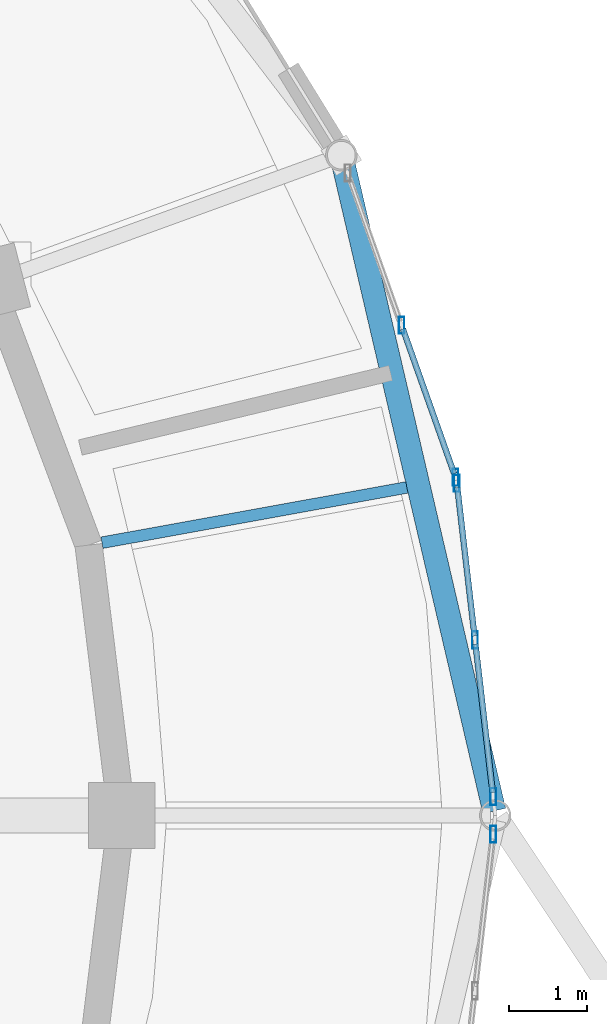
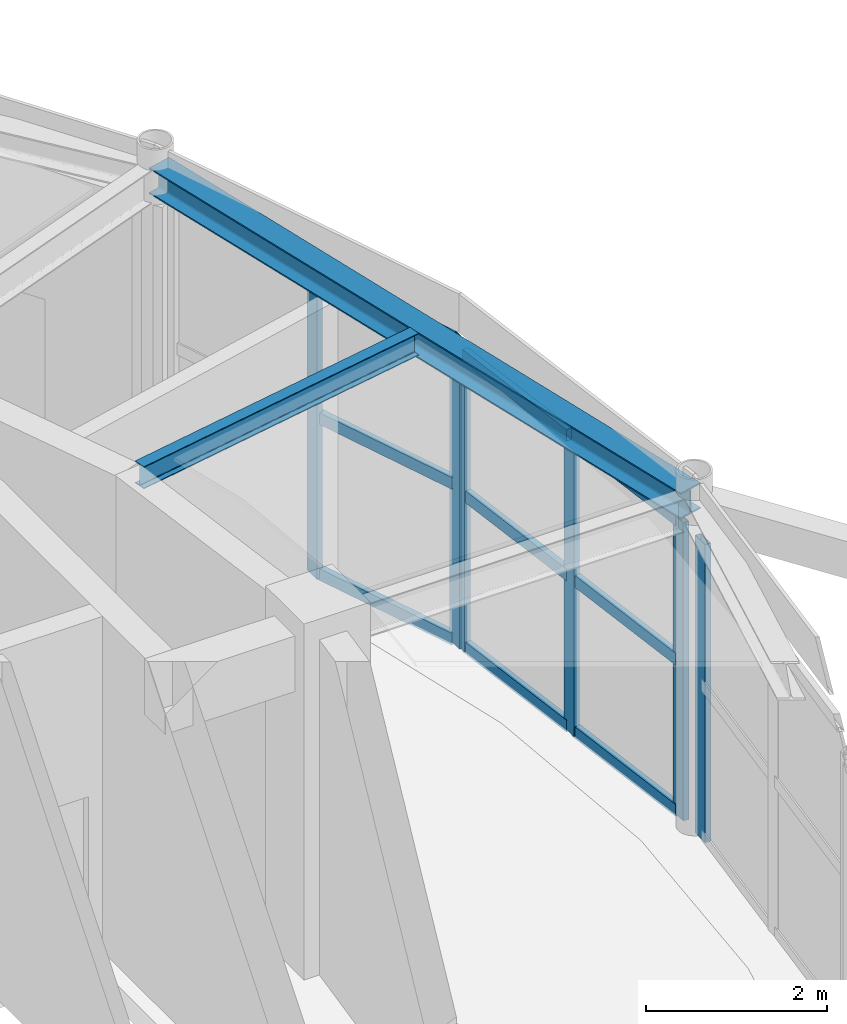
# One storey, part 46 of 108: 15 members, 2 beams, 3 elements without a shape of their own.
"""IFC4 building model written with IfcOpenShell, lengths in metres."""

import ifcopenshell
import ifcopenshell.guid

model = None  # the IFC model being written
_history = None  # IfcOwnerHistory: only IFC2X3 demands one
_inside = {}  # id of a spatial element -> (the spatial element, [elements in it])
_under = {}  # id of a project, library or spatial element -> (it, [spatial elements below it])
_declared = {}  # id of a project -> (the project, [libraries it declares])
_typed = {}  # id of a type object -> (the type object, [elements of that type])
_made_of = {}  # id of a material, layer set ... -> (it, [elements and type objects made of it])


def new_model(schema):
    """Start an empty IFC model of exactly this schema.

    Asked for "IFC4X3", IfcOpenShell would pick the latest addendum, in which some entities
    have other attributes; the version numbers below select the first issue.
    IFC2X3 requires an IfcOwnerHistory on every rooted entity: one is made here for all.
    """
    global model, _history
    if schema == "IFC4X3":
        model = ifcopenshell.file(schema_version=(4, 3, 0, 0))
    else:
        model = ifcopenshell.file(schema=schema)
    _inside.clear()
    _under.clear()
    _declared.clear()
    _typed.clear()
    _made_of.clear()
    _history = None
    if model.schema == "IFC2X3":
        org = make("IfcOrganization", Name="unknown")
        user = make(
            "IfcPersonAndOrganization",
            ThePerson=make("IfcPerson", FamilyName="unknown"),
            TheOrganization=org,
        )
        app = make(
            "IfcApplication",
            ApplicationDeveloper=org,
            Version="unknown",
            ApplicationFullName="unknown",
            ApplicationIdentifier="unknown",
        )
        _history = make(
            "IfcOwnerHistory",
            OwningUser=user,
            OwningApplication=app,
            ChangeAction="ADDED",
            CreationDate=0,
        )
    return model


def make(cls, **values):
    """One entity of the class cls with the attributes given. An attribute that is None is left unset."""
    return model.create_entity(
        cls, **{name: value for name, value in values.items() if value is not None}
    )


def rooted(cls, **values):
    """An entity with a GlobalId (a new one), such as an element, a storey or a relation."""
    return make(cls, GlobalId=ifcopenshell.guid.new(), OwnerHistory=_history, **values)


def si_unit(unit_type, name, prefix=None):
    """IfcSIUnit, for example si_unit("LENGTHUNIT", "METRE", prefix="MILLI")."""
    return make("IfcSIUnit", UnitType=unit_type, Prefix=prefix, Name=name)


def assignment(units):
    """IfcUnitAssignment: the units of a project."""
    return None if units is None else make("IfcUnitAssignment", Units=units)


def point(xyz):
    """IfcCartesianPoint."""
    return None if xyz is None else make("IfcCartesianPoint", Coordinates=xyz)


def direction(xyz):
    """IfcDirection."""
    return None if xyz is None else make("IfcDirection", DirectionRatios=xyz)


def frame(location, z_axis=None, x_axis=None):
    """IfcAxis2Placement3D, a coordinate frame: its origin and axes. An axis left out is left unset."""
    return make(
        "IfcAxis2Placement3D",
        Location=point(location),
        Axis=direction(z_axis),
        RefDirection=direction(x_axis),
    )


def frame_2d(location, x_axis=None):
    """IfcAxis2Placement2D, a coordinate frame in the plane: its origin and x axis."""
    return make(
        "IfcAxis2Placement2D", Location=point(location), RefDirection=direction(x_axis)
    )


def origin():
    """The frame at (0, 0, 0) with its axes left unset."""
    return frame((0.0, 0.0, 0.0))


def origin_2d():
    """The frame at (0, 0) in the plane with its x axis left unset."""
    return frame_2d((0.0, 0.0))


def place(relative_to, where):
    """IfcLocalPlacement: puts the frame where relative to a parent placement (None: the world)."""
    return make(
        "IfcLocalPlacement", PlacementRelTo=relative_to, RelativePlacement=where
    )


def context(
    kind, dimensions, precision=None, world=None, true_north=None, identifier=None
):
    """IfcGeometricRepresentationContext, for example the 3D "Model" context."""
    return make(
        "IfcGeometricRepresentationContext",
        ContextIdentifier=identifier,
        ContextType=kind,
        CoordinateSpaceDimension=dimensions,
        Precision=precision,
        WorldCoordinateSystem=world,
        TrueNorth=true_north,
    )


def subcontext(parent, identifier, kind, view, scale=None):
    """IfcGeometricRepresentationSubContext, for example "Body" below "Model"."""
    return make(
        "IfcGeometricRepresentationSubContext",
        ContextIdentifier=identifier,
        ContextType=kind,
        ParentContext=parent,
        TargetScale=scale,
        TargetView=view,
    )


def project(units=None, contexts=None):
    """IfcProject with its units and contexts."""
    return rooted(
        "IfcProject",
        Name="project",
        RepresentationContexts=contexts,
        UnitsInContext=assignment(units),
    )


def spatial(cls, under=None, at=None, **own):
    """A site, building, storey or space (cls), placed at a placement, below another one or the project."""
    s = rooted(cls, ObjectPlacement=at, **own)
    if under is not None:
        _under.setdefault(under.id(), (under, []))[1].append(s)
    return s


def profile(cls, at=None, kind="AREA", **sizes):
    """A parametric profile (cls). Its sizes go by their IFC names, for example OverallWidth=200.0."""
    return make(cls, ProfileType=kind, Position=at, **sizes)


def hollow_rectangle(**sizes):
    """IfcRectangleHollowProfileDef."""
    return profile("IfcRectangleHollowProfileDef", **sizes)


def i_section(**sizes):
    """IfcIShapeProfileDef."""
    return profile("IfcIShapeProfileDef", **sizes)


def extrude(swept, where, along, depth):
    """IfcExtrudedAreaSolid: the profile swept, set in the frame where, extruded along a direction by depth."""
    return make(
        "IfcExtrudedAreaSolid",
        SweptArea=swept,
        Position=where,
        ExtrudedDirection=direction(along),
        Depth=depth,
    )


def shape(context_of_items, identifier, shape_type, items):
    """IfcShapeRepresentation: the items that make up one representation, for example the "Body"."""
    return make(
        "IfcShapeRepresentation",
        ContextOfItems=context_of_items,
        RepresentationIdentifier=identifier,
        RepresentationType=shape_type,
        Items=items,
    )


def material(Name=None, Category=None):
    """IfcMaterial."""
    return make("IfcMaterial", Name=Name, Category=Category)


def material_profile(
    of_material, cross_section, Name=None, Category=None, Priority=None
):
    """IfcMaterialProfile: a cross section and its material."""
    return make(
        "IfcMaterialProfile",
        Name=Name,
        Material=of_material,
        Profile=cross_section,
        Priority=Priority,
        Category=Category,
    )


def profile_set(profiles, Name=None, composite=None):
    """IfcMaterialProfileSet."""
    return make(
        "IfcMaterialProfileSet",
        Name=Name,
        MaterialProfiles=profiles,
        CompositeProfile=composite,
    )


def made_of(thing, what):
    """Note that an element or type object is made of a material, layer set ...; save() writes the relation."""
    if what is not None:
        _made_of.setdefault(what.id(), (what, []))[1].append(thing)
    return thing


def type_object(cls, material=None, **own):
    """A type object (cls), such as IfcWallType, which elements share."""
    return made_of(rooted(cls, **own), material)


def element(
    cls,
    number,
    at=None,
    inside=None,
    cuts=None,
    type_object=None,
    material=None,
    context=None,
    identifier="Body",
    shape_type=None,
    held_by="IfcProductDefinitionShape",
    body=None,
    shapes=None,
    **own,
):
    """One element of the class cls, such as IfcWall. Its Tag is "e" and its number.

    at: its placement. inside: the storey or other place that contains it. cuts: it is an
    opening in that element (IfcRelVoidsElement). A single representation is given by context,
    identifier, shape_type and body (its items); several are given by shapes. held_by: the class
    of the entity that holds the representations. save() writes the other relations.
    """
    e = rooted(cls, Tag="e%d" % number, ObjectPlacement=at, **own)
    if body is not None:
        shapes = [shape(context, identifier, shape_type, body)]
    if shapes is not None:
        e.Representation = make(held_by, Representations=shapes)
    if inside is not None:
        _inside.setdefault(inside.id(), (inside, []))[1].append(e)
    if cuts is not None:
        rooted(
            "IfcRelVoidsElement", RelatingBuildingElement=cuts, RelatedOpeningElement=e
        )
    if type_object is not None:
        _typed.setdefault(type_object.id(), (type_object, []))[1].append(e)
    return made_of(e, material)


def aggregate(whole, parts):
    """IfcRelAggregates: a whole, such as a stair, and the parts it consists of."""
    return rooted("IfcRelAggregates", RelatingObject=whole, RelatedObjects=parts)


def save(model, path):
    """Write the relations noted so far, then the file.

    IfcRelAggregates (storeys below a building ...), IfcRelContainedInSpatialStructure (elements
    in a storey), IfcRelDefinesByType, IfcRelAssociatesMaterial and IfcRelDeclares: one each for
    every whole, place, type object, material and project.
    """
    for whole, parts in _under.values():
        aggregate(whole, parts)
    for where, things in _inside.values():
        rooted(
            "IfcRelContainedInSpatialStructure",
            RelatedElements=things,
            RelatingStructure=where,
        )
    for kind, things in _typed.values():
        rooted("IfcRelDefinesByType", RelatedObjects=things, RelatingType=kind)
    for what, things in _made_of.values():
        rooted("IfcRelAssociatesMaterial", RelatedObjects=things, RelatingMaterial=what)
    for by, libraries in _declared.values():
        rooted("IfcRelDeclares", RelatingContext=by, RelatedDefinitions=libraries)
    model.write(path)


model = new_model("IFC4")

# Units and contexts
model_context = context("Model", 3, precision=1e-05, world=origin(), true_north=direction((0.0, 1.0)))
body_context = subcontext(model_context, "Body", "Model", "MODEL_VIEW")
ifc_project = project(units=[si_unit("LENGTHUNIT", "METRE"), si_unit("AREAUNIT", "SQUARE_METRE"), si_unit("VOLUMEUNIT", "CUBIC_METRE"), si_unit("PLANEANGLEUNIT", "RADIAN"), si_unit("MASSUNIT", "GRAM", prefix="KILO")], contexts=[model_context])

# Site, building, storey
site_placement = place(None, origin())
site = spatial("IfcSite", under=ifc_project, at=site_placement, CompositionType="ELEMENT")
building_placement = place(site_placement, origin())
building = spatial("IfcBuilding", under=site, at=building_placement, Name="Tarnveldt Headland Concert Hall", CompositionType="ELEMENT")
storey_placement = place(building_placement, origin())
storey = spatial("IfcBuildingStorey", under=building, at=storey_placement, Name="L00", CompositionType="ELEMENT", Elevation=0.0)

# Curtain wall, members
ifc_material_1 = material(Name="Marine-anodised aluminium EN AW-6063-T6", Category="aluminium")
curtain_wall_type = type_object("IfcCurtainWallType", Name="CW-F1", PredefinedType="NOTDEFINED", material=ifc_material_1)
curtain_wall_1_placement = place(storey_placement, origin())
curtain_wall_1 = element("IfcCurtainWall", 1, at=curtain_wall_1_placement, inside=storey, type_object=curtain_wall_type, Name="Curtain wall CW-L00-001", PredefinedType="NOTDEFINED")
ifc_material_profile_1 = material_profile(ifc_material_1, hollow_rectangle(XDim=0.074951171875, YDim=0.219970703125, WallThickness=0.0048828125, at=origin_2d()), Name="ALU MULLION 75x220x5", Category="aluminium")
ifc_profile_set_1 = profile_set([ifc_material_profile_1], Name="Marine-anodised aluminium EN AW-6063-T6")
member_type_1 = type_object("IfcMemberType", Name="ML-200", PredefinedType="MULLION", material=ifc_profile_set_1)
member_1_placement = place(storey_placement, frame((116.27197265625, 54.74169921875, 0.0), z_axis=(0.0, 0.0, 1.0), x_axis=(1.0, 0.0, 0.0)))
member_1 = element("IfcMember", 2, at=member_1_placement, type_object=member_type_1, Name="Mullion CW-L00-001-1", PredefinedType="MULLION", context=body_context, shape_type="SweptSolid", body=[
    extrude(hollow_rectangle(XDim=0.074951171875, YDim=0.219970703125, WallThickness=0.0048828125, at=origin_2d()), origin(), (0.0, 0.0, 1.0), 4.01806640625),
])
member_2_placement = place(storey_placement, frame((116.039306640625, 56.754150390625, 0.0), z_axis=(0.0, 0.0, 1.0), x_axis=(1.0, 0.0, 0.0)))
member_2 = element("IfcMember", 3, at=member_2_placement, type_object=member_type_1, Name="Mullion CW-L00-001-2", PredefinedType="MULLION", context=body_context, shape_type="SweptSolid", body=[
    extrude(hollow_rectangle(XDim=0.074951171875, YDim=0.219970703125, WallThickness=0.0048828125, at=origin_2d()), origin(), (0.0, 0.0, 1.0), 4.01806640625),
])
member_3_placement = place(storey_placement, frame((115.806396484375, 58.766845703125, 0.0), z_axis=(0.0, 0.0, 1.0), x_axis=(1.0, 0.0, 0.0)))
member_3 = element("IfcMember", 4, at=member_3_placement, type_object=member_type_1, Name="Mullion CW-L00-001-3", PredefinedType="MULLION", context=body_context, shape_type="SweptSolid", body=[
    extrude(hollow_rectangle(XDim=0.074951171875, YDim=0.219970703125, WallThickness=0.0048828125, at=origin_2d()), origin(), (0.0, 0.0, 1.0), 4.01806640625),
])

curtain_wall_2_placement = place(storey_placement, origin())
curtain_wall_2 = element("IfcCurtainWall", 5, at=curtain_wall_2_placement, inside=storey, type_object=curtain_wall_type, Name="Curtain wall CW-L00-002", PredefinedType="NOTDEFINED")
member_4_placement = place(storey_placement, frame((115.788330078125, 58.84423828125, 0.0), z_axis=(0.0, 0.0, 1.0), x_axis=(1.0, 0.0, 0.0)))
member_4 = element("IfcMember", 6, at=member_4_placement, type_object=member_type_1, Name="Mullion CW-L00-002-1", PredefinedType="MULLION", context=body_context, shape_type="SweptSolid", body=[
    extrude(hollow_rectangle(XDim=0.074951171875, YDim=0.219970703125, WallThickness=0.0048828125, at=origin_2d()), origin(), (0.0, 0.0, 1.0), 4.139892578125),
])
member_5_placement = place(storey_placement, frame((115.095703125, 60.798583984375, 0.0), z_axis=(0.0, 0.0, 1.0), x_axis=(1.0, 0.0, 0.0)))
member_5 = element("IfcMember", 7, at=member_5_placement, type_object=member_type_1, Name="Mullion CW-L00-002-2", PredefinedType="MULLION", context=body_context, shape_type="SweptSolid", body=[
    extrude(hollow_rectangle(XDim=0.074951171875, YDim=0.219970703125, WallThickness=0.0048828125, at=origin_2d()), origin(), (0.0, 0.0, 1.0), 4.139892578125),
])

# Curtain wall, member
curtain_wall_3_placement = place(storey_placement, origin())
curtain_wall_3 = element("IfcCurtainWall", 8, at=curtain_wall_3_placement, inside=storey, type_object=curtain_wall_type, Name="Curtain wall CW-L00-026", PredefinedType="NOTDEFINED")
member_6_placement = place(storey_placement, frame((116.27197265625, 54.25830078125, 0.0), z_axis=(0.0, 0.0, 1.0), x_axis=(1.0, 0.0, 0.0)))
member_6 = element("IfcMember", 9, at=member_6_placement, type_object=member_type_1, Name="Mullion CW-L00-026-3", PredefinedType="MULLION", context=body_context, shape_type="SweptSolid", body=[
    extrude(hollow_rectangle(XDim=0.074951171875, YDim=0.219970703125, WallThickness=0.0048828125, at=origin_2d()), origin(), (0.0, 0.0, 1.0), 4.01806640625),
])
aggregate(curtain_wall_3, [member_6])

# Beams
ifc_material_2 = material(Name="Steel S355", Category="steel")
ifc_material_profile_2 = material_profile(ifc_material_2, i_section(OverallWidth=0.300048828125, OverallDepth=0.35009765625, WebThickness=0.010009765625, FlangeThickness=0.017578125, FilletRadius=0.027099609375, at=origin_2d()), Name="HEA360", Category="steel")
ifc_profile_set_2 = profile_set([ifc_material_profile_2], Name="Steel S355")
beam_type_1 = type_object("IfcBeamType", Name="SB-HEA360", PredefinedType="SPANDREL", material=ifc_profile_set_2)
beam_1_placement = place(storey_placement, frame((116.286376953125, 54.558349609375, 4.344970703125), z_axis=(-0.227123591729, 0.973865942561, 0.0), x_axis=(-0.973865942561, -0.227123591729, 0.0)))
element("IfcBeam", 10, at=beam_1_placement, inside=storey, type_object=beam_type_1, Name="Framing beam L00-347", PredefinedType="SPANDREL", context=body_context, shape_type="SweptSolid", body=[
    extrude(i_section(OverallWidth=0.300048828125, OverallDepth=0.35009765625, WebThickness=0.010009765625, FlangeThickness=0.017578125, FilletRadius=0.027099609375, at=origin_2d()), origin(), (0.0, 0.0, 1.0), 8.589599609375),
])
ifc_material_profile_3 = material_profile(ifc_material_2, i_section(OverallWidth=0.14990234375, OverallDepth=0.300048828125, WebThickness=0.007080078125, FlangeThickness=0.0107421875, FilletRadius=0.014892578125, at=origin_2d()), Name="IPE300", Category="steel")
ifc_profile_set_3 = profile_set([ifc_material_profile_3], Name="Steel S355")
beam_type_2 = type_object("IfcBeamType", Name="SB-IPE300", PredefinedType="JOIST", material=ifc_profile_set_3)
beam_2_placement = place(storey_placement, frame((111.246826171875, 58.004150390625, 4.3701171875), z_axis=(0.983953220183, 0.178426624954, 0.0), x_axis=(-0.178426624954, 0.983953220183, 0.0)))
element("IfcBeam", 11, at=beam_2_placement, inside=storey, type_object=beam_type_2, Name="Framing beam L00-349", PredefinedType="JOIST", context=body_context, shape_type="SweptSolid", body=[
    extrude(i_section(OverallWidth=0.14990234375, OverallDepth=0.300048828125, WebThickness=0.007080078125, FlangeThickness=0.0107421875, FilletRadius=0.014892578125, at=origin_2d()), origin(), (0.0, 0.0, 1.0), 3.98046875),
])

# Member
ifc_material_profile_4 = material_profile(ifc_material_1, hollow_rectangle(XDim=0.074951171875, YDim=0.159912109375, WallThickness=0.00390625, at=origin_2d()), Name="ALU TRANSOM 75x160x4", Category="aluminium")
ifc_profile_set_4 = profile_set([ifc_material_profile_4], Name="Marine-anodised aluminium EN AW-6063-T6")
member_type_2 = type_object("IfcMemberType", Name="TR-160", PredefinedType="MEMBER", material=ifc_profile_set_4)
member_7_placement = place(storey_placement, frame((116.266357421875, 54.790771484375, 0.050048828125), z_axis=(-0.114907814894, 0.993376159406, 0.0), x_axis=(-0.993376159406, -0.114907814894, 0.0)))
member_7 = element("IfcMember", 12, at=member_7_placement, type_object=member_type_2, Name="Transom CW-L00-001-1-1", PredefinedType="MEMBER", context=body_context, shape_type="SweptSolid", body=[
    extrude(hollow_rectangle(XDim=0.074951171875, YDim=0.159912109375, WallThickness=0.00390625, at=origin_2d()), origin(), (0.0, 0.0, 1.0), 1.927001953125),
])

member_8_placement = place(storey_placement, frame((116.266357421875, 54.790771484375, 2.08935546875), z_axis=(-0.114907814894, 0.993376159406, 0.0), x_axis=(-0.993376159406, -0.114907814894, 0.0)))
member_8 = element("IfcMember", 13, at=member_8_placement, type_object=member_type_2, Name="Transom CW-L00-001-1-2", PredefinedType="MEMBER", context=body_context, shape_type="SweptSolid", body=[
    extrude(hollow_rectangle(XDim=0.074951171875, YDim=0.159912109375, WallThickness=0.00390625, at=origin_2d()), origin(), (0.0, 0.0, 1.0), 1.927001953125),
])

member_9_placement = place(storey_placement, frame((116.266357421875, 54.790771484375, 3.968017578125), z_axis=(-0.114907814894, 0.993376159406, 0.0), x_axis=(-0.993376159406, -0.114907814894, 0.0)))
member_9 = element("IfcMember", 14, at=member_9_placement, type_object=member_type_2, Name="Transom CW-L00-001-1-3", PredefinedType="MEMBER", context=body_context, shape_type="SweptSolid", body=[
    extrude(hollow_rectangle(XDim=0.074951171875, YDim=0.159912109375, WallThickness=0.00390625, at=origin_2d()), origin(), (0.0, 0.0, 1.0), 1.927001953125),
])

member_10_placement = place(storey_placement, frame((116.033447265625, 56.803466796875, 0.050048828125), z_axis=(-0.114922277943, 0.9933744863, 0.0), x_axis=(-0.9933744863, -0.114922277943, 0.0)))
member_10 = element("IfcMember", 15, at=member_10_placement, type_object=member_type_2, Name="Transom CW-L00-001-2-1", PredefinedType="MEMBER", context=body_context, shape_type="SweptSolid", body=[
    extrude(hollow_rectangle(XDim=0.074951171875, YDim=0.159912109375, WallThickness=0.00390625, at=origin_2d()), origin(), (0.0, 0.0, 1.0), 1.9267578125),
])

member_11_placement = place(storey_placement, frame((116.033447265625, 56.803466796875, 2.08935546875), z_axis=(-0.114922277943, 0.9933744863, 0.0), x_axis=(-0.9933744863, -0.114922277943, 0.0)))
member_11 = element("IfcMember", 16, at=member_11_placement, type_object=member_type_2, Name="Transom CW-L00-001-2-2", PredefinedType="MEMBER", context=body_context, shape_type="SweptSolid", body=[
    extrude(hollow_rectangle(XDim=0.074951171875, YDim=0.159912109375, WallThickness=0.00390625, at=origin_2d()), origin(), (0.0, 0.0, 1.0), 1.9267578125),
])

member_12_placement = place(storey_placement, frame((116.033447265625, 56.803466796875, 3.968017578125), z_axis=(-0.114922277943, 0.9933744863, 0.0), x_axis=(-0.9933744863, -0.114922277943, 0.0)))
member_12 = element("IfcMember", 17, at=member_12_placement, type_object=member_type_2, Name="Transom CW-L00-001-2-3", PredefinedType="MEMBER", context=body_context, shape_type="SweptSolid", body=[
    extrude(hollow_rectangle(XDim=0.074951171875, YDim=0.159912109375, WallThickness=0.00390625, at=origin_2d()), origin(), (0.0, 0.0, 1.0), 1.9267578125),
])

aggregate(curtain_wall_1, [member_1, member_2, member_3, member_7, member_8, member_9, member_10, member_11, member_12])

member_13_placement = place(storey_placement, frame((115.771728515625, 58.890869140625, 0.050048828125), z_axis=(-0.333977607749, 0.942581008467, 0.0), x_axis=(-0.942581008467, -0.333977607749, 0.0)))
member_13 = element("IfcMember", 18, at=member_13_placement, type_object=member_type_2, Name="Transom CW-L00-002-1-1", PredefinedType="MEMBER", context=body_context, shape_type="SweptSolid", body=[
    extrude(hollow_rectangle(XDim=0.074951171875, YDim=0.159912109375, WallThickness=0.00390625, at=origin_2d()), origin(), (0.0, 0.0, 1.0), 1.974365234375),
])

member_14_placement = place(storey_placement, frame((115.771728515625, 58.890869140625, 2.15283203125), z_axis=(-0.333977607749, 0.942581008467, 0.0), x_axis=(-0.942581008467, -0.333977607749, 0.0)))
member_14 = element("IfcMember", 19, at=member_14_placement, type_object=member_type_2, Name="Transom CW-L00-002-1-2", PredefinedType="MEMBER", context=body_context, shape_type="SweptSolid", body=[
    extrude(hollow_rectangle(XDim=0.074951171875, YDim=0.159912109375, WallThickness=0.00390625, at=origin_2d()), origin(), (0.0, 0.0, 1.0), 1.974365234375),
])

member_15_placement = place(storey_placement, frame((115.771728515625, 58.890869140625, 4.090087890625), z_axis=(-0.333977607749, 0.942581008467, 0.0), x_axis=(-0.942581008467, -0.333977607749, 0.0)))
member_15 = element("IfcMember", 20, at=member_15_placement, type_object=member_type_2, Name="Transom CW-L00-002-1-3", PredefinedType="MEMBER", context=body_context, shape_type="SweptSolid", body=[
    extrude(hollow_rectangle(XDim=0.074951171875, YDim=0.159912109375, WallThickness=0.00390625, at=origin_2d()), origin(), (0.0, 0.0, 1.0), 1.974365234375),
])

aggregate(curtain_wall_2, [member_4, member_5, member_13, member_14, member_15])

save(model, "model.ifc")
